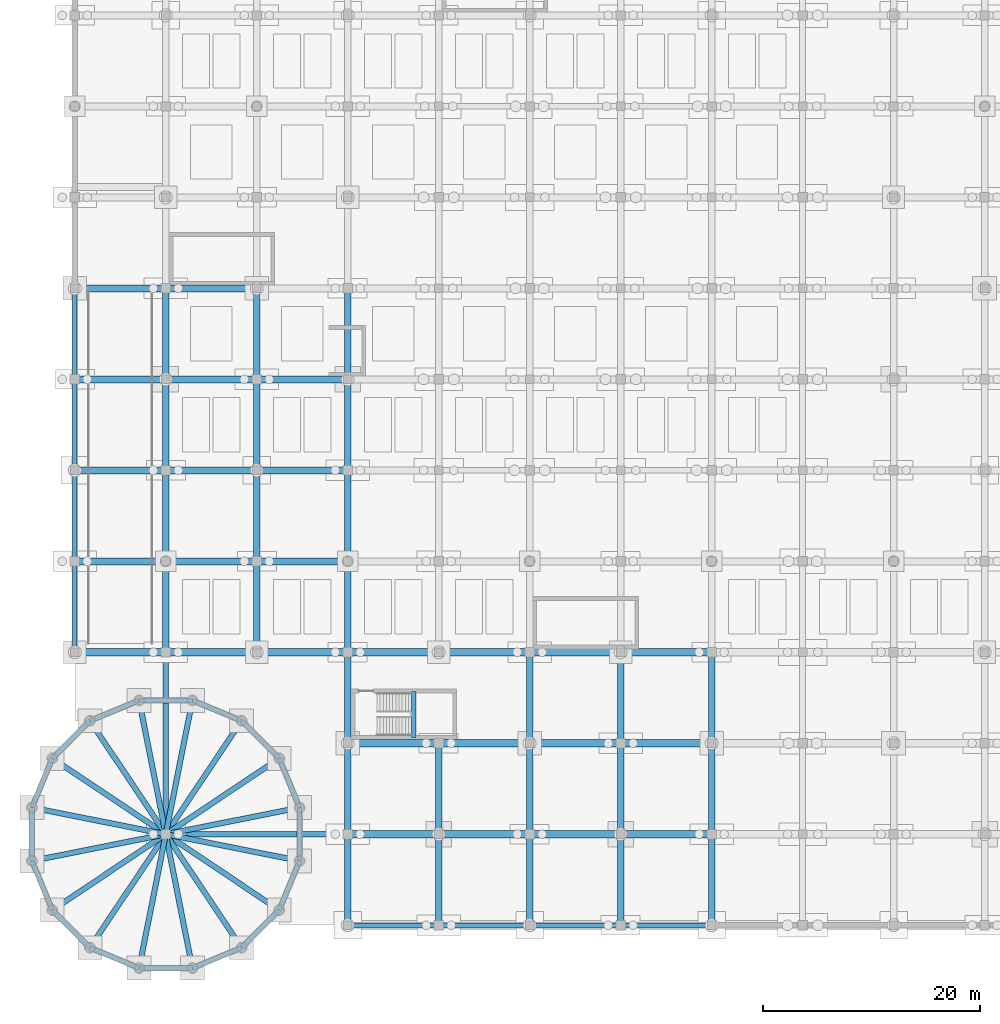
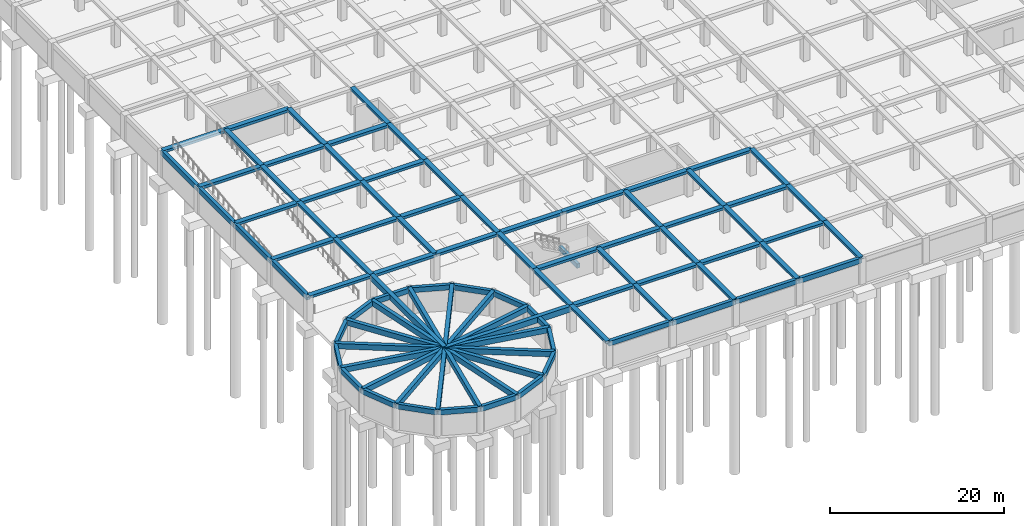
# One storey, part 11 of 47: 95 beams.
"""IFC4 building model written with IfcOpenShell, lengths in metres."""

from ifc_helpers import new_model, si_unit, direction, frame, origin, origin_2d, place, context, subcontext, project, spatial, rectangle, extrude, material, material_profile, profile_set, type_object, element, save


model = new_model("IFC4")

# Units and contexts
model_context = context("Model", 3, precision=1e-05, world=origin(), true_north=direction((0.0, 1.0)))
body_context = subcontext(model_context, "Body", "Model", "MODEL_VIEW")
ifc_project = project(units=[si_unit("LENGTHUNIT", "METRE"), si_unit("AREAUNIT", "SQUARE_METRE"), si_unit("VOLUMEUNIT", "CUBIC_METRE"), si_unit("PLANEANGLEUNIT", "RADIAN"), si_unit("MASSUNIT", "GRAM", prefix="KILO")], contexts=[model_context])

# Site, building, storey
site_placement = place(None, origin())
site = spatial("IfcSite", under=ifc_project, at=site_placement, CompositionType="ELEMENT")
building_placement = place(site_placement, origin())
building = spatial("IfcBuilding", under=site, at=building_placement, Name="Almacenes y Pasaje Nevantli", CompositionType="ELEMENT")
storey_placement = place(building_placement, frame((0.0, 0.0, -8.10009765625)))
storey = spatial("IfcBuildingStorey", under=building, at=storey_placement, Name="B02", CompositionType="ELEMENT", Elevation=-8.10009765625)

# Beams
ifc_material_1 = material(Name="Concrete C35/45", Category="concrete")
ifc_material_profile_1 = material_profile(ifc_material_1, rectangle(XDim=0.39990234375, YDim=0.60009765625, at=origin_2d()), Name="RC-BM-400x600")
ifc_profile_set_1 = profile_set([ifc_material_profile_1], Name="Concrete C35/45")
beam_type_1 = type_object("IfcBeamType", Name="BM-RC-400x600", PredefinedType="SPANDREL", material=ifc_profile_set_1)
beam_1_placement = place(storey_placement, frame((31.2900390625, 17.35009765625, 1.4501953125), z_axis=(0.0, 1.0, 0.0), x_axis=(-1.0, 0.0, 0.0)))
element("IfcBeam", 1, at=beam_1_placement, inside=storey, type_object=beam_type_1, Name="B02 Stair ST-04 Half-Landing Support Beam", PredefinedType="SPANDREL", context=body_context, shape_type="SweptSolid", body=[
    extrude(rectangle(XDim=0.39990234375, YDim=0.60009765625, at=origin_2d()), origin(), (0.0, 0.0, 1.0), 4.25),
])
ifc_material_2 = material(Name="Concrete C35/45", Category="concrete")
ifc_material_profile_2 = material_profile(ifc_material_2, rectangle(XDim=0.449951171875, YDim=0.64990234375, at=origin_2d()), Name="RC-BM-450x650")
ifc_profile_set_2 = profile_set([ifc_material_profile_2], Name="Concrete C35/45")
beam_type_2 = type_object("IfcBeamType", Name="BM-RC-450x650", PredefinedType="SPANDREL", material=ifc_profile_set_2)
beam_2_placement = place(storey_placement, frame((25.199951171875, 0.0, 3.275146484375), z_axis=(1.0, 0.0, 0.0), x_axis=(0.0, 1.0, 0.0)))
element("IfcBeam", 2, at=beam_2_placement, inside=storey, type_object=beam_type_2, Name="B02 East-West Reinforced Concrete Beam #1", PredefinedType="SPANDREL", context=body_context, shape_type="SweptSolid", body=[
    extrude(rectangle(XDim=0.449951171875, YDim=0.64990234375, at=origin_2d()), origin(), (0.0, 0.0, 1.0), 8.400146484375),
])
beam_3_placement = place(storey_placement, frame((42.0, 0.0, 3.275146484375), z_axis=(1.0, 0.0, 0.0), x_axis=(0.0, 1.0, 0.0)))
element("IfcBeam", 3, at=beam_3_placement, inside=storey, type_object=beam_type_2, Name="B02 East-West Reinforced Concrete Beam #3", PredefinedType="SPANDREL", context=body_context, shape_type="SweptSolid", body=[
    extrude(rectangle(XDim=0.449951171875, YDim=0.64990234375, at=origin_2d()), origin(), (0.0, 0.0, 1.0), 8.39990234375),
])
ifc_material_3 = material(Name="Concrete C35/45", Category="concrete")
ifc_material_profile_3 = material_profile(ifc_material_3, rectangle(XDim=0.449951171875, YDim=0.699951171875, at=origin_2d()), Name="RC-BM-450x700")
ifc_profile_set_3 = profile_set([ifc_material_profile_3], Name="Concrete C35/45")
beam_type_3 = type_object("IfcBeamType", Name="BM-RC-450x700", PredefinedType="SPANDREL", material=ifc_profile_set_3)
beam_4_placement = place(storey_placement, frame((33.60009765625, 0.0, 3.25), z_axis=(1.0, 0.0, 0.0), x_axis=(0.0, 1.0, 0.0)))
element("IfcBeam", 4, at=beam_4_placement, inside=storey, type_object=beam_type_3, Name="B02 East-West Reinforced Concrete Beam #2", PredefinedType="SPANDREL", context=body_context, shape_type="SweptSolid", body=[
    extrude(rectangle(XDim=0.449951171875, YDim=0.699951171875, at=origin_2d()), origin(), (0.0, 0.0, 1.0), 8.39990234375),
])
for number, where, z_axis, x_axis, name in (
    (5, (50.39990234375, 0.0, 3.25), (1.0, 0.0, 0.0), (0.0, 1.0, 0.0), "B02 East-West Reinforced Concrete Beam #4"),
    (6, (0.0, 25.199951171875, 3.25), (0.0, 1.0, 0.0), (-1.0, 0.0, 0.0), "B02 North-South Reinforced Concrete Beam #292"),
):
    element("IfcBeam", number, at=place(storey_placement, frame(where, z_axis=z_axis, x_axis=x_axis)), inside=storey, type_object=beam_type_3, Name=name, PredefinedType="SPANDREL", context=body_context, shape_type="SweptSolid", body=[
        extrude(rectangle(XDim=0.449951171875, YDim=0.699951171875, at=origin_2d()), origin(), (0.0, 0.0, 1.0), 8.400146484375),
    ])
for number, where, z_axis, x_axis, name in (
    (7, (0.0, 33.60009765625, 3.25), (0.0, 1.0, 0.0), (-1.0, 0.0, 0.0), "B02 North-South Reinforced Concrete Beam #293"),
    (8, (0.0, 42.0, 3.25), (0.0, 1.0, 0.0), (-1.0, 0.0, 0.0), "B02 North-South Reinforced Concrete Beam #294"),
):
    element("IfcBeam", number, at=place(storey_placement, frame(where, z_axis=z_axis, x_axis=x_axis)), inside=storey, type_object=beam_type_3, Name=name, PredefinedType="SPANDREL", context=body_context, shape_type="SweptSolid", body=[
        extrude(rectangle(XDim=0.449951171875, YDim=0.699951171875, at=origin_2d()), origin(), (0.0, 0.0, 1.0), 8.39990234375),
    ])
beam_5_placement = place(storey_placement, frame((0.0, 50.39990234375, 3.25), z_axis=(0.0, 1.0, 0.0), x_axis=(-1.0, 0.0, 0.0)))
element("IfcBeam", 9, at=beam_5_placement, inside=storey, type_object=beam_type_3, Name="B02 North-South Reinforced Concrete Beam #295", PredefinedType="SPANDREL", context=body_context, shape_type="SweptSolid", body=[
    extrude(rectangle(XDim=0.449951171875, YDim=0.699951171875, at=origin_2d()), origin(), (0.0, 0.0, 1.0), 8.400146484375),
])
for number, where, z_axis, x_axis, name in (
    (10, (20.7578125, 10.858154296875, 3.25), (-0.382682198272, 0.923880043688, 0.0), (-0.923880043688, -0.382682198272, 0.0), "B02 Rotunda Ring Spandrel Beam #1"),
    (11, (18.87646484375, 15.400146484375, 3.25), (-0.707106781187, 0.707106781187, 0.0), (-0.707106781187, -0.707106781187, 0.0), "B02 Rotunda Ring Spandrel Beam #2"),
    (12, (15.400146484375, 18.87646484375, 3.25), (-0.923880043688, 0.382682198272, 0.0), (-0.382682198272, -0.923880043688, 0.0), "B02 Rotunda Ring Spandrel Beam #3"),
    (13, (10.858154296875, 20.7578125, 3.25), (-1.0, 0.0, 0.0), (0.0, -1.0, 0.0), "B02 Rotunda Ring Spandrel Beam #4"),
    (14, (5.94189453125, 20.7578125, 3.25), (-0.923880043688, -0.382682198272, 0.0), (0.382682198272, -0.923880043688, 0.0), "B02 Rotunda Ring Spandrel Beam #5"),
    (15, (1.39990234375, 18.87646484375, 3.25), (-0.707106781187, -0.707106781187, 0.0), (0.707106781187, -0.707106781187, 0.0), "B02 Rotunda Ring Spandrel Beam #6"),
    (16, (-2.076416015625, 15.400146484375, 3.25), (-0.38272458482, -0.923862485532, 0.0), (0.923862485532, -0.38272458482, 0.0), "B02 Rotunda Ring Spandrel Beam #7"),
    (17, (-3.9580078125, 10.858154296875, 3.25), (0.0, -1.0, 0.0), (1.0, 0.0, 0.0), "B02 Rotunda Ring Spandrel Beam #8"),
    (18, (-3.9580078125, 5.94189453125, 3.25), (0.38272458482, -0.923862485532, 0.0), (0.923862485532, 0.38272458482, 0.0), "B02 Rotunda Ring Spandrel Beam #9"),
    (19, (-2.076416015625, 1.39990234375, 3.25), (0.707106781187, -0.707106781187, 0.0), (0.707106781187, 0.707106781187, 0.0), "B02 Rotunda Ring Spandrel Beam #10"),
    (20, (1.39990234375, -2.076416015625, 3.25), (0.923862485532, -0.38272458482, 0.0), (0.38272458482, 0.923862485532, 0.0), "B02 Rotunda Ring Spandrel Beam #11"),
    (21, (5.94189453125, -3.9580078125, 3.25), (1.0, 0.0, 0.0), (0.0, 1.0, 0.0), "B02 Rotunda Ring Spandrel Beam #12"),
    (22, (10.858154296875, -3.9580078125, 3.25), (0.923862485532, 0.38272458482, 0.0), (-0.38272458482, 0.923862485532, 0.0), "B02 Rotunda Ring Spandrel Beam #13"),
    (23, (15.400146484375, -2.076416015625, 3.25), (0.707106781187, 0.707106781187, 0.0), (-0.707106781187, 0.707106781187, 0.0), "B02 Rotunda Ring Spandrel Beam #14"),
    (24, (18.87646484375, 1.39990234375, 3.25), (0.382682198272, 0.923880043688, 0.0), (-0.923880043688, 0.382682198272, 0.0), "B02 Rotunda Ring Spandrel Beam #15"),
    (25, (20.7578125, 5.94189453125, 3.25), (0.0, 1.0, 0.0), (-1.0, 0.0, 0.0), "B02 Rotunda Ring Spandrel Beam #16"),
):
    element("IfcBeam", number, at=place(storey_placement, frame(where, z_axis=z_axis, x_axis=x_axis)), inside=storey, type_object=beam_type_3, Name=name, PredefinedType="SPANDREL", context=body_context, shape_type="SweptSolid", body=[
        extrude(rectangle(XDim=0.449951171875, YDim=0.699951171875, at=origin_2d()), origin(), (0.0, 0.0, 1.0), 4.916259765625),
    ])
ifc_material_4 = material(Name="Concrete C35/45", Category="concrete")
ifc_material_profile_4 = material_profile(ifc_material_4, rectangle(XDim=0.5, YDim=0.75, at=origin_2d()), Name="RC-BM-500x750")
ifc_profile_set_4 = profile_set([ifc_material_profile_4], Name="Concrete C35/45")
beam_type_4 = type_object("IfcBeamType", Name="BM-RC-500x750", PredefinedType="BEAM", material=ifc_profile_set_4)
for number, where, z_axis, x_axis, name in (
    (26, (8.39990234375, 8.39990234375, 3.22509765625), (0.980783597961, 0.195098780036, 0.0), (-0.195098780036, 0.980783597961, 0.0), "B02 Rotunda Radial Girder #1"),
    (27, (8.39990234375, 8.39990234375, 3.22509765625), (0.831468553537, 0.55557181757, 0.0), (-0.55557181757, 0.831468553537, 0.0), "B02 Rotunda Radial Girder #2"),
    (28, (8.39990234375, 8.39990234375, 3.22509765625), (0.55557181757, 0.831468553537, 0.0), (-0.831468553537, 0.55557181757, 0.0), "B02 Rotunda Radial Girder #3"),
    (29, (8.39990234375, 8.39990234375, 3.22509765625), (0.195098780036, 0.980783597961, 0.0), (-0.980783597961, 0.195098780036, 0.0), "B02 Rotunda Radial Girder #4"),
    (30, (8.39990234375, 8.39990234375, 3.22509765625), (-0.195080141274, 0.980787305424, 0.0), (-0.980787305424, -0.195080141274, 0.0), "B02 Rotunda Radial Girder #5"),
):
    element("IfcBeam", number, at=place(storey_placement, frame(where, z_axis=z_axis, x_axis=x_axis)), inside=storey, type_object=beam_type_4, Name=name, PredefinedType="BEAM", context=body_context, shape_type="SweptSolid", body=[
        extrude(rectangle(XDim=0.5, YDim=0.75, at=origin_2d()), origin(), (0.0, 0.0, 1.0), 12.60009765625),
    ])
for number, where, z_axis, x_axis, name in (
    (31, (8.39990234375, 8.39990234375, 3.22509765625), (-0.55555842186, 0.831477504146, 0.0), (-0.831477504146, -0.55555842186, 0.0), "B02 Rotunda Radial Girder #6"),
    (32, (8.39990234375, 8.39990234375, 3.22509765625), (-0.831462572755, 0.555580768302, 0.0), (-0.555580768302, -0.831462572755, 0.0), "B02 Rotunda Radial Girder #7"),
):
    element("IfcBeam", number, at=place(storey_placement, frame(where, z_axis=z_axis, x_axis=x_axis)), inside=storey, type_object=beam_type_4, Name=name, PredefinedType="BEAM", context=body_context, shape_type="SweptSolid", body=[
        extrude(rectangle(XDim=0.5, YDim=0.75, at=origin_2d()), origin(), (0.0, 0.0, 1.0), 12.599853515625),
    ])
for number, where, z_axis, x_axis, name in (
    (33, (8.39990234375, 8.39990234375, 3.22509765625), (-0.980783597961, 0.195098780036, 0.0), (-0.195098780036, -0.980783597961, 0.0), "B02 Rotunda Radial Girder #8"),
    (34, (8.39990234375, 8.39990234375, 3.22509765625), (-0.980787305424, -0.195080141274, 0.0), (0.195080141274, -0.980787305424, 0.0), "B02 Rotunda Radial Girder #9"),
):
    element("IfcBeam", number, at=place(storey_placement, frame(where, z_axis=z_axis, x_axis=x_axis)), inside=storey, type_object=beam_type_4, Name=name, PredefinedType="BEAM", context=body_context, shape_type="SweptSolid", body=[
        extrude(rectangle(XDim=0.5, YDim=0.75, at=origin_2d()), origin(), (0.0, 0.0, 1.0), 12.60009765625),
    ])
for number, where, z_axis, x_axis, name in (
    (35, (8.39990234375, 8.39990234375, 3.22509765625), (-0.831471523588, -0.555567372569, 0.0), (0.555567372569, -0.831471523588, 0.0), "B02 Rotunda Radial Girder #10"),
    (36, (8.39990234375, 8.39990234375, 3.22509765625), (-0.555567372569, -0.831471523588, 0.0), (0.831471523588, -0.555567372569, 0.0), "B02 Rotunda Radial Girder #11"),
):
    element("IfcBeam", number, at=place(storey_placement, frame(where, z_axis=z_axis, x_axis=x_axis)), inside=storey, type_object=beam_type_4, Name=name, PredefinedType="BEAM", context=body_context, shape_type="SweptSolid", body=[
        extrude(rectangle(XDim=0.5, YDim=0.75, at=origin_2d()), origin(), (0.0, 0.0, 1.0), 12.599853515625),
    ])
for number, where, z_axis, x_axis, name in (
    (37, (8.39990234375, 8.39990234375, 3.22509765625), (-0.195080141274, -0.980787305424, 0.0), (0.980787305424, -0.195080141274, 0.0), "B02 Rotunda Radial Girder #12"),
    (38, (8.39990234375, 8.39990234375, 3.22509765625), (0.195098780036, -0.980783597961, 0.0), (0.980783597961, 0.195098780036, 0.0), "B02 Rotunda Radial Girder #13"),
):
    element("IfcBeam", number, at=place(storey_placement, frame(where, z_axis=z_axis, x_axis=x_axis)), inside=storey, type_object=beam_type_4, Name=name, PredefinedType="BEAM", context=body_context, shape_type="SweptSolid", body=[
        extrude(rectangle(XDim=0.5, YDim=0.75, at=origin_2d()), origin(), (0.0, 0.0, 1.0), 12.60009765625),
    ])
for number, where, z_axis, x_axis, name in (
    (39, (8.39990234375, 8.39990234375, 3.22509765625), (0.555580768302, -0.831462572755, 0.0), (0.831462572755, 0.555580768302, 0.0), "B02 Rotunda Radial Girder #14"),
    (40, (8.39990234375, 8.39990234375, 3.22509765625), (0.831477504146, -0.55555842186, 0.0), (0.55555842186, 0.831477504146, 0.0), "B02 Rotunda Radial Girder #15"),
):
    element("IfcBeam", number, at=place(storey_placement, frame(where, z_axis=z_axis, x_axis=x_axis)), inside=storey, type_object=beam_type_4, Name=name, PredefinedType="BEAM", context=body_context, shape_type="SweptSolid", body=[
        extrude(rectangle(XDim=0.5, YDim=0.75, at=origin_2d()), origin(), (0.0, 0.0, 1.0), 12.599853515625),
    ])
beam_6_placement = place(storey_placement, frame((8.39990234375, 8.39990234375, 3.22509765625), z_axis=(0.980787305424, -0.195080141274, 0.0), x_axis=(0.195080141274, 0.980787305424, 0.0)))
element("IfcBeam", 41, at=beam_6_placement, inside=storey, type_object=beam_type_4, Name="B02 Rotunda Radial Girder #16", PredefinedType="BEAM", context=body_context, shape_type="SweptSolid", body=[
    extrude(rectangle(XDim=0.5, YDim=0.75, at=origin_2d()), origin(), (0.0, 0.0, 1.0), 12.60009765625),
])
ifc_material_5 = material(Name="Concrete C35/45", Category="concrete")
ifc_material_profile_5 = material_profile(ifc_material_5, rectangle(XDim=0.550048828125, YDim=0.800048828125, at=origin_2d()), Name="RC-BM-550x800")
ifc_profile_set_5 = profile_set([ifc_material_profile_5], Name="Concrete C35/45")
beam_type_5 = type_object("IfcBeamType", Name="BM-RC-550x800", PredefinedType="BEAM", material=ifc_profile_set_5)
for number, where, z_axis, x_axis, name in (
    (42, (8.39990234375, 8.39990234375, 3.2001953125), (1.0, 0.0, 0.0), (0.0, 1.0, 0.0), "B02 Rotunda-to-Grid Collector Girder #603"),
    (43, (8.39990234375, 8.39990234375, 3.2001953125), (0.0, 1.0, 0.0), (-1.0, 0.0, 0.0), "B02 Rotunda-to-Grid Collector Girder #604"),
):
    element("IfcBeam", number, at=place(storey_placement, frame(where, z_axis=z_axis, x_axis=x_axis)), inside=storey, type_object=beam_type_5, Name=name, PredefinedType="BEAM", context=body_context, shape_type="SweptSolid", body=[
        extrude(rectangle(XDim=0.550048828125, YDim=0.800048828125, at=origin_2d()), origin(), (0.0, 0.0, 1.0), 16.800048828125),
    ])
ifc_material_6 = material(Name="Concrete C35/45", Category="concrete")
ifc_material_profile_6 = material_profile(ifc_material_6, rectangle(XDim=0.60009765625, YDim=0.320068359375, at=origin_2d()), Name="RC-BM-600x320")
ifc_profile_set_6 = profile_set([ifc_material_profile_6], Name="Concrete C35/45")
beam_type_6 = type_object("IfcBeamType", Name="BM-RC-600x320", PredefinedType="BEAM", material=ifc_profile_set_6)
beam_7_placement = place(storey_placement, frame((8.39990234375, 33.60009765625, 3.440185546875), z_axis=(0.0, 1.0, 0.0), x_axis=(-1.0, 0.0, 0.0)))
element("IfcBeam", 44, at=beam_7_placement, inside=storey, type_object=beam_type_6, Name="B02 North-South Reinforced Concrete Beam #304", PredefinedType="BEAM", context=body_context, shape_type="SweptSolid", body=[
    extrude(rectangle(XDim=0.60009765625, YDim=0.320068359375, at=origin_2d()), origin(), (0.0, 0.0, 1.0), 8.39990234375),
])
for number, where, z_axis, x_axis, name in (
    (45, (8.39990234375, 50.39990234375, 3.440185546875), (0.0, 1.0, 0.0), (-1.0, 0.0, 0.0), "B02 North-South Reinforced Concrete Beam #306"),
    (46, (16.800048828125, 25.199951171875, 3.440185546875), (0.0, 1.0, 0.0), (-1.0, 0.0, 0.0), "B02 North-South Reinforced Concrete Beam #314"),
):
    element("IfcBeam", number, at=place(storey_placement, frame(where, z_axis=z_axis, x_axis=x_axis)), inside=storey, type_object=beam_type_6, Name=name, PredefinedType="BEAM", context=body_context, shape_type="SweptSolid", body=[
        extrude(rectangle(XDim=0.60009765625, YDim=0.320068359375, at=origin_2d()), origin(), (0.0, 0.0, 1.0), 8.400146484375),
    ])
for number, where, z_axis, x_axis, name in (
    (47, (16.800048828125, 42.0, 3.440185546875), (0.0, 1.0, 0.0), (-1.0, 0.0, 0.0), "B02 North-South Reinforced Concrete Beam #316"),
    (48, (25.199951171875, 0.0, 3.440185546875), (0.0, 1.0, 0.0), (-1.0, 0.0, 0.0), "B02 North-South Reinforced Concrete Beam #324"),
    (49, (25.199951171875, 16.800048828125, 3.440185546875), (0.0, 1.0, 0.0), (-1.0, 0.0, 0.0), "B02 North-South Reinforced Concrete Beam #326"),
    (50, (25.199951171875, 33.60009765625, 3.440185546875), (0.0, 1.0, 0.0), (-1.0, 0.0, 0.0), "B02 North-South Reinforced Concrete Beam #328"),
):
    element("IfcBeam", number, at=place(storey_placement, frame(where, z_axis=z_axis, x_axis=x_axis)), inside=storey, type_object=beam_type_6, Name=name, PredefinedType="BEAM", context=body_context, shape_type="SweptSolid", body=[
        extrude(rectangle(XDim=0.60009765625, YDim=0.320068359375, at=origin_2d()), origin(), (0.0, 0.0, 1.0), 8.39990234375),
    ])
for number, where, z_axis, x_axis, name in (
    (51, (25.199951171875, 50.39990234375, 3.440185546875), (0.0, 1.0, 0.0), (-1.0, 0.0, 0.0), "B02 North-South Reinforced Concrete Beam #330"),
    (52, (33.60009765625, 8.39990234375, 3.440185546875), (0.0, 1.0, 0.0), (-1.0, 0.0, 0.0), "B02 North-South Reinforced Concrete Beam #339"),
):
    element("IfcBeam", number, at=place(storey_placement, frame(where, z_axis=z_axis, x_axis=x_axis)), inside=storey, type_object=beam_type_6, Name=name, PredefinedType="BEAM", context=body_context, shape_type="SweptSolid", body=[
        extrude(rectangle(XDim=0.60009765625, YDim=0.320068359375, at=origin_2d()), origin(), (0.0, 0.0, 1.0), 8.400146484375),
    ])
for number, where, z_axis, x_axis, name in (
    (53, (42.0, 0.0, 3.440185546875), (0.0, 1.0, 0.0), (-1.0, 0.0, 0.0), "B02 North-South Reinforced Concrete Beam #351"),
    (54, (42.0, 16.800048828125, 3.440185546875), (0.0, 1.0, 0.0), (-1.0, 0.0, 0.0), "B02 North-South Reinforced Concrete Beam #353"),
):
    element("IfcBeam", number, at=place(storey_placement, frame(where, z_axis=z_axis, x_axis=x_axis)), inside=storey, type_object=beam_type_6, Name=name, PredefinedType="BEAM", context=body_context, shape_type="SweptSolid", body=[
        extrude(rectangle(XDim=0.60009765625, YDim=0.320068359375, at=origin_2d()), origin(), (0.0, 0.0, 1.0), 8.39990234375),
    ])
beam_8_placement = place(storey_placement, frame((50.39990234375, 8.39990234375, 3.440185546875), z_axis=(0.0, 1.0, 0.0), x_axis=(-1.0, 0.0, 0.0)))
element("IfcBeam", 55, at=beam_8_placement, inside=storey, type_object=beam_type_6, Name="B02 North-South Reinforced Concrete Beam #366", PredefinedType="BEAM", context=body_context, shape_type="SweptSolid", body=[
    extrude(rectangle(XDim=0.60009765625, YDim=0.320068359375, at=origin_2d()), origin(), (0.0, 0.0, 1.0), 8.400146484375),
])
for number, where, z_axis, x_axis, name in (
    (56, (58.800048828125, 0.0, 3.440185546875), (0.0, 1.0, 0.0), (-1.0, 0.0, 0.0), "B02 North-South Reinforced Concrete Beam #379"),
    (57, (58.800048828125, 16.800048828125, 3.440185546875), (0.0, 1.0, 0.0), (-1.0, 0.0, 0.0), "B02 North-South Reinforced Concrete Beam #381"),
):
    element("IfcBeam", number, at=place(storey_placement, frame(where, z_axis=z_axis, x_axis=x_axis)), inside=storey, type_object=beam_type_6, Name=name, PredefinedType="BEAM", context=body_context, shape_type="SweptSolid", body=[
        extrude(rectangle(XDim=0.60009765625, YDim=0.320068359375, at=origin_2d()), origin(), (0.0, 0.0, 1.0), 8.39990234375),
    ])
ifc_material_7 = material(Name="Concrete C35/45", Category="concrete")
ifc_material_profile_7 = material_profile(ifc_material_7, rectangle(XDim=0.60009765625, YDim=0.340087890625, at=origin_2d()), Name="RC-BM-600x340")
ifc_profile_set_7 = profile_set([ifc_material_profile_7], Name="Concrete C35/45")
beam_type_7 = type_object("IfcBeamType", Name="BM-RC-600x340", PredefinedType="BEAM", material=ifc_profile_set_7)
beam_9_placement = place(storey_placement, frame((8.39990234375, 25.199951171875, 3.43017578125), z_axis=(0.0, 1.0, 0.0), x_axis=(-1.0, 0.0, 0.0)))
element("IfcBeam", 58, at=beam_9_placement, inside=storey, type_object=beam_type_7, Name="B02 North-South Reinforced Concrete Beam #303", PredefinedType="BEAM", context=body_context, shape_type="SweptSolid", body=[
    extrude(rectangle(XDim=0.60009765625, YDim=0.340087890625, at=origin_2d()), origin(), (0.0, 0.0, 1.0), 8.400146484375),
])
for number, where, z_axis, x_axis, name in (
    (59, (8.39990234375, 42.0, 3.43017578125), (0.0, 1.0, 0.0), (-1.0, 0.0, 0.0), "B02 North-South Reinforced Concrete Beam #305"),
    (60, (16.800048828125, 33.60009765625, 3.43017578125), (0.0, 1.0, 0.0), (-1.0, 0.0, 0.0), "B02 North-South Reinforced Concrete Beam #315"),
):
    element("IfcBeam", number, at=place(storey_placement, frame(where, z_axis=z_axis, x_axis=x_axis)), inside=storey, type_object=beam_type_7, Name=name, PredefinedType="BEAM", context=body_context, shape_type="SweptSolid", body=[
        extrude(rectangle(XDim=0.60009765625, YDim=0.340087890625, at=origin_2d()), origin(), (0.0, 0.0, 1.0), 8.39990234375),
    ])
for number, where, z_axis, x_axis, name in (
    (61, (16.800048828125, 50.39990234375, 3.43017578125), (0.0, 1.0, 0.0), (-1.0, 0.0, 0.0), "B02 North-South Reinforced Concrete Beam #317"),
    (62, (25.199951171875, 8.39990234375, 3.43017578125), (0.0, 1.0, 0.0), (-1.0, 0.0, 0.0), "B02 North-South Reinforced Concrete Beam #325"),
    (63, (25.199951171875, 25.199951171875, 3.43017578125), (0.0, 1.0, 0.0), (-1.0, 0.0, 0.0), "B02 North-South Reinforced Concrete Beam #327"),
):
    element("IfcBeam", number, at=place(storey_placement, frame(where, z_axis=z_axis, x_axis=x_axis)), inside=storey, type_object=beam_type_7, Name=name, PredefinedType="BEAM", context=body_context, shape_type="SweptSolid", body=[
        extrude(rectangle(XDim=0.60009765625, YDim=0.340087890625, at=origin_2d()), origin(), (0.0, 0.0, 1.0), 8.400146484375),
    ])
for number, where, z_axis, x_axis, name in (
    (64, (25.199951171875, 42.0, 3.43017578125), (0.0, 1.0, 0.0), (-1.0, 0.0, 0.0), "B02 North-South Reinforced Concrete Beam #329"),
    (65, (33.60009765625, 0.0, 3.43017578125), (0.0, 1.0, 0.0), (-1.0, 0.0, 0.0), "B02 North-South Reinforced Concrete Beam #338"),
):
    element("IfcBeam", number, at=place(storey_placement, frame(where, z_axis=z_axis, x_axis=x_axis)), inside=storey, type_object=beam_type_7, Name=name, PredefinedType="BEAM", context=body_context, shape_type="SweptSolid", body=[
        extrude(rectangle(XDim=0.60009765625, YDim=0.340087890625, at=origin_2d()), origin(), (0.0, 0.0, 1.0), 8.39990234375),
    ])
beam_10_placement = place(storey_placement, frame((42.0, 8.39990234375, 3.43017578125), z_axis=(0.0, 1.0, 0.0), x_axis=(-1.0, 0.0, 0.0)))
element("IfcBeam", 66, at=beam_10_placement, inside=storey, type_object=beam_type_7, Name="B02 North-South Reinforced Concrete Beam #352", PredefinedType="BEAM", context=body_context, shape_type="SweptSolid", body=[
    extrude(rectangle(XDim=0.60009765625, YDim=0.340087890625, at=origin_2d()), origin(), (0.0, 0.0, 1.0), 8.400146484375),
])
for number, where, z_axis, x_axis, name in (
    (67, (50.39990234375, 0.0, 3.43017578125), (0.0, 1.0, 0.0), (-1.0, 0.0, 0.0), "B02 North-South Reinforced Concrete Beam #365"),
    (68, (50.39990234375, 16.800048828125, 3.43017578125), (0.0, 1.0, 0.0), (-1.0, 0.0, 0.0), "B02 North-South Reinforced Concrete Beam #367"),
):
    element("IfcBeam", number, at=place(storey_placement, frame(where, z_axis=z_axis, x_axis=x_axis)), inside=storey, type_object=beam_type_7, Name=name, PredefinedType="BEAM", context=body_context, shape_type="SweptSolid", body=[
        extrude(rectangle(XDim=0.60009765625, YDim=0.340087890625, at=origin_2d()), origin(), (0.0, 0.0, 1.0), 8.39990234375),
    ])
beam_11_placement = place(storey_placement, frame((58.800048828125, 8.39990234375, 3.43017578125), z_axis=(0.0, 1.0, 0.0), x_axis=(-1.0, 0.0, 0.0)))
element("IfcBeam", 69, at=beam_11_placement, inside=storey, type_object=beam_type_7, Name="B02 North-South Reinforced Concrete Beam #380", PredefinedType="BEAM", context=body_context, shape_type="SweptSolid", body=[
    extrude(rectangle(XDim=0.60009765625, YDim=0.340087890625, at=origin_2d()), origin(), (0.0, 0.0, 1.0), 8.400146484375),
])
ifc_material_8 = material(Name="Concrete C35/45", Category="concrete")
ifc_material_profile_8 = material_profile(ifc_material_8, rectangle(XDim=0.64990234375, YDim=0.35009765625, at=origin_2d()), Name="RC-BM-650x350")
ifc_profile_set_8 = profile_set([ifc_material_profile_8], Name="Concrete C35/45")
beam_type_8 = type_object("IfcBeamType", Name="BM-RC-650x350", PredefinedType="BEAM", material=ifc_profile_set_8)
beam_12_placement = place(storey_placement, frame((33.60009765625, 8.39990234375, 3.425048828125), z_axis=(1.0, 0.0, 0.0), x_axis=(0.0, 1.0, 0.0)))
element("IfcBeam", 70, at=beam_12_placement, inside=storey, type_object=beam_type_8, Name="B02 East-West Reinforced Concrete Beam #19", PredefinedType="BEAM", context=body_context, shape_type="SweptSolid", body=[
    extrude(rectangle(XDim=0.64990234375, YDim=0.35009765625, at=origin_2d()), origin(), (0.0, 0.0, 1.0), 8.39990234375),
])
for number, where, z_axis, x_axis, name in (
    (71, (50.39990234375, 8.39990234375, 3.425048828125), (1.0, 0.0, 0.0), (0.0, 1.0, 0.0), "B02 East-West Reinforced Concrete Beam #21"),
    (72, (25.199951171875, 16.800048828125, 3.425048828125), (1.0, 0.0, 0.0), (0.0, 1.0, 0.0), "B02 East-West Reinforced Concrete Beam #35"),
):
    element("IfcBeam", number, at=place(storey_placement, frame(where, z_axis=z_axis, x_axis=x_axis)), inside=storey, type_object=beam_type_8, Name=name, PredefinedType="BEAM", context=body_context, shape_type="SweptSolid", body=[
        extrude(rectangle(XDim=0.64990234375, YDim=0.35009765625, at=origin_2d()), origin(), (0.0, 0.0, 1.0), 8.400146484375),
    ])
for number, where, z_axis, x_axis, name in (
    (73, (42.0, 16.800048828125, 3.425048828125), (1.0, 0.0, 0.0), (0.0, 1.0, 0.0), "B02 East-West Reinforced Concrete Beam #37"),
    (74, (0.0, 25.199951171875, 3.425048828125), (1.0, 0.0, 0.0), (0.0, 1.0, 0.0), "B02 East-West Reinforced Concrete Beam #52"),
    (75, (16.800048828125, 25.199951171875, 3.425048828125), (1.0, 0.0, 0.0), (0.0, 1.0, 0.0), "B02 East-West Reinforced Concrete Beam #54"),
    (76, (33.60009765625, 25.199951171875, 3.425048828125), (1.0, 0.0, 0.0), (0.0, 1.0, 0.0), "B02 East-West Reinforced Concrete Beam #56"),
):
    element("IfcBeam", number, at=place(storey_placement, frame(where, z_axis=z_axis, x_axis=x_axis)), inside=storey, type_object=beam_type_8, Name=name, PredefinedType="BEAM", context=body_context, shape_type="SweptSolid", body=[
        extrude(rectangle(XDim=0.64990234375, YDim=0.35009765625, at=origin_2d()), origin(), (0.0, 0.0, 1.0), 8.39990234375),
    ])
for number, where, z_axis, x_axis, name in (
    (77, (50.39990234375, 25.199951171875, 3.425048828125), (1.0, 0.0, 0.0), (0.0, 1.0, 0.0), "B02 East-West Reinforced Concrete Beam #58"),
    (78, (8.39990234375, 33.60009765625, 3.425048828125), (1.0, 0.0, 0.0), (0.0, 1.0, 0.0), "B02 East-West Reinforced Concrete Beam #73"),
):
    element("IfcBeam", number, at=place(storey_placement, frame(where, z_axis=z_axis, x_axis=x_axis)), inside=storey, type_object=beam_type_8, Name=name, PredefinedType="BEAM", context=body_context, shape_type="SweptSolid", body=[
        extrude(rectangle(XDim=0.64990234375, YDim=0.35009765625, at=origin_2d()), origin(), (0.0, 0.0, 1.0), 8.400146484375),
    ])
for number, where, z_axis, x_axis, name in (
    (79, (0.0, 42.0, 3.425048828125), (1.0, 0.0, 0.0), (0.0, 1.0, 0.0), "B02 East-West Reinforced Concrete Beam #92"),
    (80, (16.800048828125, 42.0, 3.425048828125), (1.0, 0.0, 0.0), (0.0, 1.0, 0.0), "B02 East-West Reinforced Concrete Beam #94"),
):
    element("IfcBeam", number, at=place(storey_placement, frame(where, z_axis=z_axis, x_axis=x_axis)), inside=storey, type_object=beam_type_8, Name=name, PredefinedType="BEAM", context=body_context, shape_type="SweptSolid", body=[
        extrude(rectangle(XDim=0.64990234375, YDim=0.35009765625, at=origin_2d()), origin(), (0.0, 0.0, 1.0), 8.39990234375),
    ])
beam_13_placement = place(storey_placement, frame((8.39990234375, 50.39990234375, 3.425048828125), z_axis=(1.0, 0.0, 0.0), x_axis=(0.0, 1.0, 0.0)))
element("IfcBeam", 81, at=beam_13_placement, inside=storey, type_object=beam_type_8, Name="B02 East-West Reinforced Concrete Beam #113", PredefinedType="BEAM", context=body_context, shape_type="SweptSolid", body=[
    extrude(rectangle(XDim=0.64990234375, YDim=0.35009765625, at=origin_2d()), origin(), (0.0, 0.0, 1.0), 8.400146484375),
])
beam_14_placement = place(storey_placement, frame((0.0, 58.800048828125, 3.425048828125), z_axis=(1.0, 0.0, 0.0), x_axis=(0.0, 1.0, 0.0)))
element("IfcBeam", 82, at=beam_14_placement, inside=storey, type_object=beam_type_8, Name="B02 East-West Reinforced Concrete Beam #132", PredefinedType="BEAM", context=body_context, shape_type="SweptSolid", body=[
    extrude(rectangle(XDim=0.64990234375, YDim=0.35009765625, at=origin_2d()), origin(), (0.0, 0.0, 1.0), 8.39990234375),
])
ifc_material_9 = material(Name="Concrete C35/45", Category="concrete")
ifc_material_profile_9 = material_profile(ifc_material_9, rectangle(XDim=0.64990234375, YDim=0.3798828125, at=origin_2d()), Name="RC-BM-650x380")
ifc_profile_set_9 = profile_set([ifc_material_profile_9], Name="Concrete C35/45")
beam_type_9 = type_object("IfcBeamType", Name="BM-RC-650x380", PredefinedType="BEAM", material=ifc_profile_set_9)
beam_15_placement = place(storey_placement, frame((25.199951171875, 8.39990234375, 3.41015625), z_axis=(1.0, 0.0, 0.0), x_axis=(0.0, 1.0, 0.0)))
element("IfcBeam", 83, at=beam_15_placement, inside=storey, type_object=beam_type_9, Name="B02 East-West Reinforced Concrete Beam #18", PredefinedType="BEAM", context=body_context, shape_type="SweptSolid", body=[
    extrude(rectangle(XDim=0.64990234375, YDim=0.3798828125, at=origin_2d()), origin(), (0.0, 0.0, 1.0), 8.400146484375),
])
for number, where, z_axis, x_axis, name in (
    (84, (42.0, 8.39990234375, 3.41015625), (1.0, 0.0, 0.0), (0.0, 1.0, 0.0), "B02 East-West Reinforced Concrete Beam #20"),
    (85, (33.60009765625, 16.800048828125, 3.41015625), (1.0, 0.0, 0.0), (0.0, 1.0, 0.0), "B02 East-West Reinforced Concrete Beam #36"),
):
    element("IfcBeam", number, at=place(storey_placement, frame(where, z_axis=z_axis, x_axis=x_axis)), inside=storey, type_object=beam_type_9, Name=name, PredefinedType="BEAM", context=body_context, shape_type="SweptSolid", body=[
        extrude(rectangle(XDim=0.64990234375, YDim=0.3798828125, at=origin_2d()), origin(), (0.0, 0.0, 1.0), 8.39990234375),
    ])
for number, where, z_axis, x_axis, name in (
    (86, (50.39990234375, 16.800048828125, 3.41015625), (1.0, 0.0, 0.0), (0.0, 1.0, 0.0), "B02 East-West Reinforced Concrete Beam #38"),
    (87, (8.39990234375, 25.199951171875, 3.41015625), (1.0, 0.0, 0.0), (0.0, 1.0, 0.0), "B02 East-West Reinforced Concrete Beam #53"),
    (88, (25.199951171875, 25.199951171875, 3.41015625), (1.0, 0.0, 0.0), (0.0, 1.0, 0.0), "B02 East-West Reinforced Concrete Beam #55"),
):
    element("IfcBeam", number, at=place(storey_placement, frame(where, z_axis=z_axis, x_axis=x_axis)), inside=storey, type_object=beam_type_9, Name=name, PredefinedType="BEAM", context=body_context, shape_type="SweptSolid", body=[
        extrude(rectangle(XDim=0.64990234375, YDim=0.3798828125, at=origin_2d()), origin(), (0.0, 0.0, 1.0), 8.400146484375),
    ])
for number, where, z_axis, x_axis, name in (
    (89, (42.0, 25.199951171875, 3.41015625), (1.0, 0.0, 0.0), (0.0, 1.0, 0.0), "B02 East-West Reinforced Concrete Beam #57"),
    (90, (0.0, 33.60009765625, 3.41015625), (1.0, 0.0, 0.0), (0.0, 1.0, 0.0), "B02 East-West Reinforced Concrete Beam #72"),
    (91, (16.800048828125, 33.60009765625, 3.41015625), (1.0, 0.0, 0.0), (0.0, 1.0, 0.0), "B02 East-West Reinforced Concrete Beam #74"),
):
    element("IfcBeam", number, at=place(storey_placement, frame(where, z_axis=z_axis, x_axis=x_axis)), inside=storey, type_object=beam_type_9, Name=name, PredefinedType="BEAM", context=body_context, shape_type="SweptSolid", body=[
        extrude(rectangle(XDim=0.64990234375, YDim=0.3798828125, at=origin_2d()), origin(), (0.0, 0.0, 1.0), 8.39990234375),
    ])
beam_16_placement = place(storey_placement, frame((8.39990234375, 42.0, 3.41015625), z_axis=(1.0, 0.0, 0.0), x_axis=(0.0, 1.0, 0.0)))
element("IfcBeam", 92, at=beam_16_placement, inside=storey, type_object=beam_type_9, Name="B02 East-West Reinforced Concrete Beam #93", PredefinedType="BEAM", context=body_context, shape_type="SweptSolid", body=[
    extrude(rectangle(XDim=0.64990234375, YDim=0.3798828125, at=origin_2d()), origin(), (0.0, 0.0, 1.0), 8.400146484375),
])
for number, where, z_axis, x_axis, name in (
    (93, (0.0, 50.39990234375, 3.41015625), (1.0, 0.0, 0.0), (0.0, 1.0, 0.0), "B02 East-West Reinforced Concrete Beam #112"),
    (94, (16.800048828125, 50.39990234375, 3.41015625), (1.0, 0.0, 0.0), (0.0, 1.0, 0.0), "B02 East-West Reinforced Concrete Beam #114"),
):
    element("IfcBeam", number, at=place(storey_placement, frame(where, z_axis=z_axis, x_axis=x_axis)), inside=storey, type_object=beam_type_9, Name=name, PredefinedType="BEAM", context=body_context, shape_type="SweptSolid", body=[
        extrude(rectangle(XDim=0.64990234375, YDim=0.3798828125, at=origin_2d()), origin(), (0.0, 0.0, 1.0), 8.39990234375),
    ])
beam_17_placement = place(storey_placement, frame((8.39990234375, 58.800048828125, 3.41015625), z_axis=(1.0, 0.0, 0.0), x_axis=(0.0, 1.0, 0.0)))
element("IfcBeam", 95, at=beam_17_placement, inside=storey, type_object=beam_type_9, Name="B02 East-West Reinforced Concrete Beam #133", PredefinedType="BEAM", context=body_context, shape_type="SweptSolid", body=[
    extrude(rectangle(XDim=0.64990234375, YDim=0.3798828125, at=origin_2d()), origin(), (0.0, 0.0, 1.0), 8.400146484375),
])

save(model, "model.ifc")
